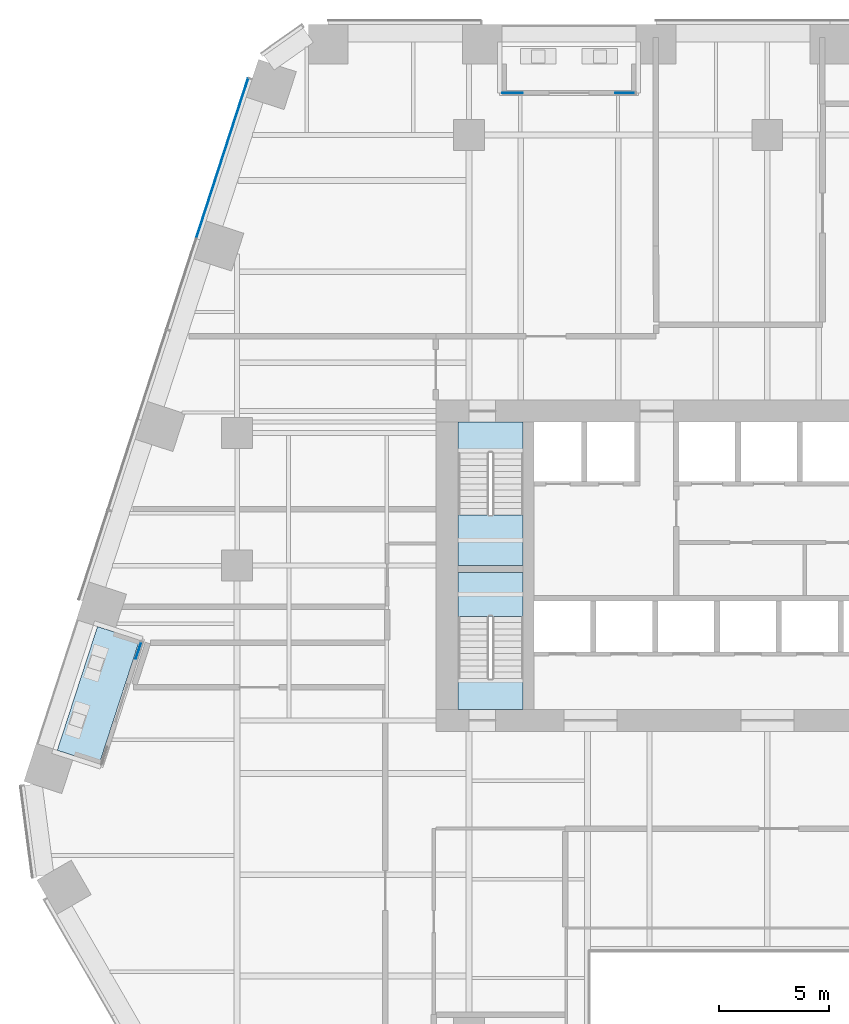
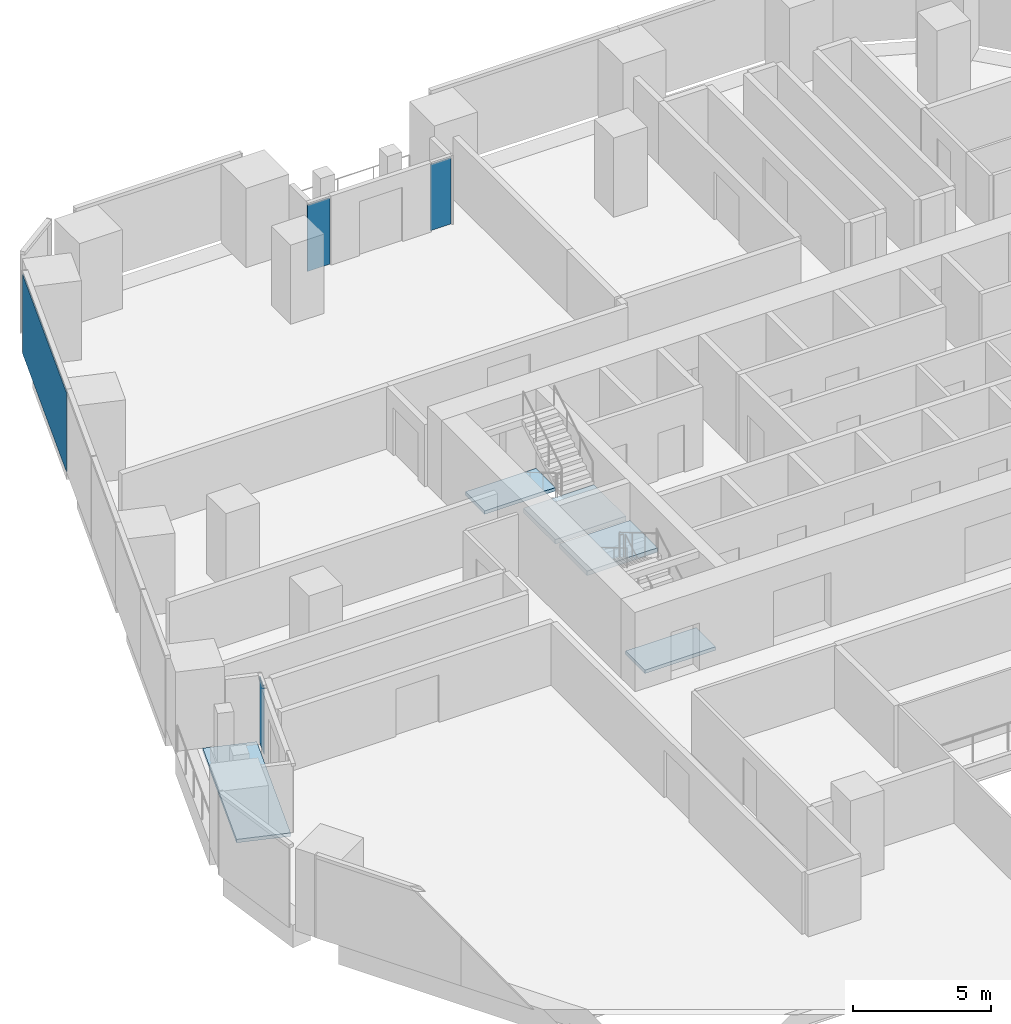
# One storey, part 19 of 31: 5 slabs, 4 plates, 5 elements without a shape of their own.
"""IFC4 building model written with IfcOpenShell, lengths in metres."""

from ifc_helpers import new_model, si_unit, direction, frame, origin, origin_2d, place, context, subcontext, project, spatial, polyline, rectangle, outline, extrude, material, layer, layer_set, type_object, element, aggregate, save


model = new_model("IFC4")

# Units and contexts
model_context = context("Model", 3, precision=1e-05, world=origin(), true_north=direction((0.0, 1.0)))
body_context = subcontext(model_context, "Body", "Model", "MODEL_VIEW")
ifc_project = project(units=[si_unit("LENGTHUNIT", "METRE"), si_unit("AREAUNIT", "SQUARE_METRE"), si_unit("VOLUMEUNIT", "CUBIC_METRE"), si_unit("PLANEANGLEUNIT", "RADIAN"), si_unit("MASSUNIT", "GRAM", prefix="KILO")], contexts=[model_context])

# Site, building, storey
site_placement = place(None, origin())
site = spatial("IfcSite", under=ifc_project, at=site_placement, CompositionType="ELEMENT")
building_placement = place(site_placement, origin())
building = spatial("IfcBuilding", under=site, at=building_placement, Name="Isthmus Gate Tower", CompositionType="ELEMENT")
storey_placement = place(building_placement, frame((0.0, 0.0, 54.25)))
storey = spatial("IfcBuildingStorey", under=building, at=storey_placement, Name="L11", CompositionType="ELEMENT", Elevation=54.25)

# Slabs
ifc_material_1 = material(Name="Concrete f'c 40 MPa", Category="concrete")
ifc_layer_1 = layer(ifc_material_1, 0.14990234375)
ifc_layer_set_1 = layer_set([ifc_layer_1], Name="CORE FLOOR SLAB 150")
slab_type_1 = type_object("IfcSlabType", Name="CORE FLOOR SLAB 150", PredefinedType="FLOOR", material=ifc_layer_set_1)
slab_1_placement = place(storey_placement, frame((0.0, 0.0, -0.14990234375)))
element("IfcSlab", 1, at=slab_1_placement, inside=storey, type_object=slab_type_1, Name="L11 core floor", PredefinedType="FLOOR", context=body_context, shape_type="SweptSolid", body=[
    extrude(outline(polyline([(-11.050048828125, 1.0), (-11.050048828125, 2.402099609375), (-14.0, 2.402099609375), (-14.0, 1.0), (-11.050048828125, 1.0)])), origin(), (0.0, 0.0, 1.0), 0.14990234375),
])
slab_2_placement = place(storey_placement, frame((0.0, 0.0, -0.14990234375)))
element("IfcSlab", 2, at=slab_2_placement, inside=storey, type_object=slab_type_1, Name="L11 core floor", PredefinedType="FLOOR", context=body_context, shape_type="SweptSolid", body=[
    extrude(outline(polyline([(-14.0, 14.0), (-14.0, 12.597900390625), (-11.050048828125, 12.597900390625), (-11.050048828125, 14.0), (-14.0, 14.0)])), origin(), (0.0, 0.0, 1.0), 0.14990234375),
])

# Curtain wall, plate
ifc_material_2 = material(Name="Aluminium, pale champagne anodised", Category="aluminium")
ifc_layer_2 = layer(ifc_material_2, 0.199951171875)
ifc_layer_set_2 = layer_set([ifc_layer_2], Name="CW-1 UNITISED CURTAIN WALL 200 DEEP")
curtain_wall_type_1 = type_object("IfcCurtainWallType", Name="CW-1 UNITISED CURTAIN WALL 200 DEEP", PredefinedType="NOTDEFINED", material=ifc_layer_set_2)
curtain_wall_1_placement = place(storey_placement, origin())
curtain_wall_1 = element("IfcCurtainWall", 3, at=curtain_wall_1_placement, inside=storey, type_object=curtain_wall_type_1, Name="CW-1 NW L11", PredefinedType="NOTDEFINED")
ifc_material_3 = material(Name="Laminated low-iron glass, pale blue tint", Category="glass")
ifc_layer_3 = layer(ifc_material_3, 0.0400390625)
ifc_layer_set_3 = layer_set([ifc_layer_3], Name="CW-1 CLEAR GLASS LITE 40")
plate_type_1 = type_object("IfcPlateType", Name="CW-1 CLEAR GLASS LITE 40", PredefinedType="CURTAIN_PANEL", material=ifc_layer_set_3)
plate_1_placement = place(storey_placement, frame((-24.67578125, 25.9296875, 0.0), z_axis=(0.0, 0.0, 1.0), x_axis=(-0.309016994375, -0.951056516295, 0.0)))
plate_1 = element("IfcPlate", 4, at=plate_1_placement, type_object=plate_type_1, Name="CW-1 glass lite", PredefinedType="CURTAIN_PANEL", context=body_context, shape_type="SweptSolid", body=[
    extrude(rectangle(XDim=7.62939453125, YDim=0.0400390625, at=origin_2d()), origin(), (0.0, 0.0, 1.0), 3.5),
])
aggregate(curtain_wall_1, [plate_1])

# Curtain wall, plates
ifc_material_4 = material(Name="Aluminium, pale champagne anodised", Category="aluminium")
ifc_layer_4 = layer(ifc_material_4, 0.14990234375)
ifc_layer_set_4 = layer_set([ifc_layer_4], Name="CW-6 LOGGIA BACK WALL GLAZING 150 DEEP")
curtain_wall_type_2 = type_object("IfcCurtainWallType", Name="CW-6 LOGGIA BACK WALL GLAZING 150 DEEP", PredefinedType="NOTDEFINED", material=ifc_layer_set_4)
curtain_wall_2_placement = place(storey_placement, origin())
curtain_wall_2 = element("IfcCurtainWall", 5, at=curtain_wall_2_placement, inside=storey, type_object=curtain_wall_type_2, Name="CW-6 N L11", PredefinedType="NOTDEFINED")
ifc_material_5 = material(Name="Laminated low-iron glass, clear", Category="glass")
ifc_layer_5 = layer(ifc_material_5, 0.031982421875)
ifc_layer_set_5 = layer_set([ifc_layer_5], Name="CW-6 CLEAR GLASS LITE 32")
plate_type_2 = type_object("IfcPlateType", Name="CW-6 CLEAR GLASS LITE 32", PredefinedType="CURTAIN_PANEL", material=ifc_layer_set_5)
plate_2_placement = place(storey_placement, frame((-6.4345703125, 28.89990234375, 0.0), z_axis=(0.0, 0.0, 1.0), x_axis=(-1.0, 0.0, 0.0)))
plate_2 = element("IfcPlate", 6, at=plate_2_placement, type_object=plate_type_2, Name="CW-6 glass lite", PredefinedType="CURTAIN_PANEL", context=body_context, shape_type="SweptSolid", body=[
    extrude(rectangle(XDim=0.874755859375, YDim=0.031982421875, at=origin_2d()), origin(), (0.0, 0.0, 1.0), 2.929931640625),
])
plate_3_placement = place(storey_placement, frame((-11.539306640625, 28.89990234375, 0.0), z_axis=(0.0, 0.0, 1.0), x_axis=(-1.0, 0.0, 0.0)))
plate_3 = element("IfcPlate", 7, at=plate_3_placement, type_object=plate_type_2, Name="CW-6 glass lite", PredefinedType="CURTAIN_PANEL", context=body_context, shape_type="SweptSolid", body=[
    extrude(rectangle(XDim=0.934814453125, YDim=0.031982421875, at=origin_2d()), origin(), (0.0, 0.0, 1.0), 2.929931640625),
])
aggregate(curtain_wall_2, [plate_2, plate_3])

# Curtain wall, plate
curtain_wall_3_placement = place(storey_placement, origin())
curtain_wall_3 = element("IfcCurtainWall", 8, at=curtain_wall_3_placement, inside=storey, type_object=curtain_wall_type_2, Name="CW-6 NW L11", PredefinedType="NOTDEFINED")
plate_4_placement = place(storey_placement, frame((-28.46142578125, 3.6640625, 0.0), z_axis=(0.0, 0.0, 1.0), x_axis=(-0.309016994375, -0.951056516295, 0.0)))
plate_4 = element("IfcPlate", 9, at=plate_4_placement, type_object=plate_type_2, Name="CW-6 glass lite", PredefinedType="CURTAIN_PANEL", context=body_context, shape_type="SweptSolid", body=[
    extrude(rectangle(XDim=0.78466796875, YDim=0.031982421875, at=origin_2d()), origin(), (0.0, 0.0, 1.0), 2.929931640625),
])
aggregate(curtain_wall_3, [plate_4])

# Slab
ifc_material_6 = material(Name="Concrete f'c 50 MPa", Category="concrete")
ifc_layer_6 = layer(ifc_material_6, 0.14990234375)
ifc_layer_set_6 = layer_set([ifc_layer_6], Name="LOGGIA FLOOR SLAB 150")
slab_type_2 = type_object("IfcSlabType", Name="LOGGIA FLOOR SLAB 150", PredefinedType="FLOOR", material=ifc_layer_set_6)
slab_3_placement = place(storey_placement, frame((0.0, 0.0, -0.14990234375)))
element("IfcSlab", 10, at=slab_3_placement, inside=storey, type_object=slab_type_2, Name="LOGGIA FLOOR", PredefinedType="FLOOR", context=body_context, shape_type="SweptSolid", body=[
    extrude(outline(polyline([(-30.31884765625, 4.7431640625), (-32.138916015625, -0.85791015625), (-30.23681640625, -1.47607421875), (-28.416748046875, 4.125), (-30.31884765625, 4.7431640625)])), origin(), (0.0, 0.0, 1.0), 0.14990234375),
])

# Stair, slab
ifc_material_7 = material(Name="Concrete f'c 40 MPa", Category="concrete")
stair_type = type_object("IfcStairType", Name="CORE STAIR 22 RISERS", PredefinedType="HALF_TURN_STAIR", material=ifc_material_7)
stair_1_placement = place(storey_placement, origin())
stair_1 = element("IfcStair", 11, at=stair_1_placement, inside=storey, type_object=stair_type, Name="L11 Exit Stair 1", PredefinedType="HALF_TURN_STAIR")
ifc_material_8 = material(Name="Concrete f'c 40 MPa", Category="concrete")
ifc_layer_7 = layer(ifc_material_8, 0.199951171875)
ifc_layer_set_7 = layer_set([ifc_layer_7])
slab_type_3 = type_object("IfcSlabType", Name="STAIR LANDING RC 200", PredefinedType="LANDING", material=ifc_layer_set_7)
slab_4_placement = place(storey_placement, frame((0.0, 0.0, 1.625)))
slab_4 = element("IfcSlab", 12, at=slab_4_placement, type_object=slab_type_3, Name="ST1 landing 1", PredefinedType="LANDING", context=body_context, shape_type="SweptSolid", body=[
    extrude(outline(polyline([(-14.0, 9.800048828125), (-14.0, 7.5), (-11.050048828125, 7.5), (-11.050048828125, 9.800048828125), (-14.0, 9.800048828125)])), origin(), (0.0, 0.0, 1.0), 0.199951171875),
])
aggregate(stair_1, [slab_4])

stair_2_placement = place(storey_placement, origin())
stair_2 = element("IfcStair", 13, at=stair_2_placement, inside=storey, type_object=stair_type, Name="L11 Exit Stair 7", PredefinedType="HALF_TURN_STAIR")
slab_5_placement = place(storey_placement, frame((0.0, 0.0, 1.625)))
slab_5 = element("IfcSlab", 14, at=slab_5_placement, type_object=slab_type_3, Name="ST7 landing 1", PredefinedType="LANDING", context=body_context, shape_type="SweptSolid", body=[
    extrude(outline(polyline([(-11.050048828125, 5.199951171875), (-11.050048828125, 7.199951171875), (-14.0, 7.199951171875), (-14.0, 5.199951171875), (-11.050048828125, 5.199951171875)])), origin(), (0.0, 0.0, 1.0), 0.199951171875),
])
aggregate(stair_2, [slab_5])

save(model, "model.ifc")
